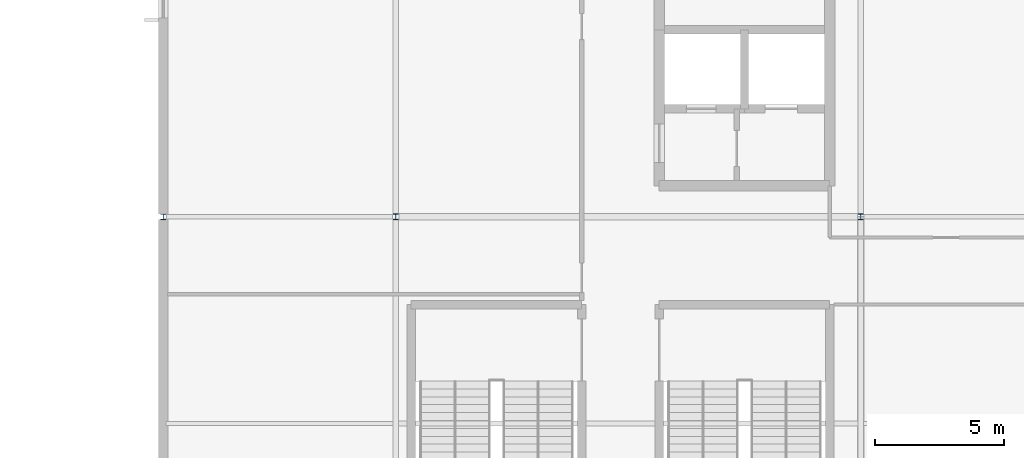
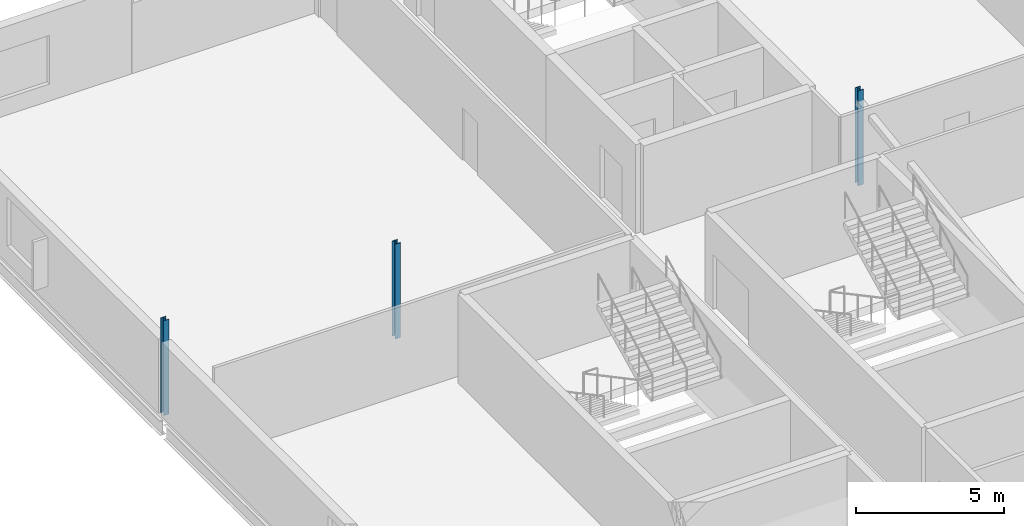
# One storey, part 14 of 35: 3 columns.
"""IFC4 building model written with IfcOpenShell, lengths in metres."""

from ifc_helpers import new_model, si_unit, direction, frame, origin, origin_2d, place, context, subcontext, project, spatial, i_section, extrude, material, material_profile, profile_set, type_object, element, save


model = new_model("IFC4")

# Units and contexts
model_context = context("Model", 3, precision=1e-05, world=origin(), true_north=direction((0.0, 1.0)))
body_context = subcontext(model_context, "Body", "Model", "MODEL_VIEW")
ifc_project = project(units=[si_unit("LENGTHUNIT", "METRE"), si_unit("AREAUNIT", "SQUARE_METRE"), si_unit("VOLUMEUNIT", "CUBIC_METRE"), si_unit("PLANEANGLEUNIT", "RADIAN"), si_unit("MASSUNIT", "GRAM", prefix="KILO")], contexts=[model_context])

# Site, building, storey
site_placement = place(None, origin())
site = spatial("IfcSite", under=ifc_project, at=site_placement, CompositionType="ELEMENT")
building_placement = place(site_placement, origin())
building = spatial("IfcBuilding", under=site, at=building_placement, Name="Kisiwana Market Hall", CompositionType="ELEMENT")
storey_placement = place(building_placement, frame((0.0, 0.0, 57.89990234375)))
storey = spatial("IfcBuildingStorey", under=building, at=storey_placement, Name="L13", CompositionType="ELEMENT", Elevation=57.89990234375)

# Columns
ifc_material_1 = material(Name="Steel S355", Category="steel")
ifc_material_profile_1 = material_profile(ifc_material_1, i_section(OverallWidth=0.205810546875, OverallDepth=0.209716796875, WebThickness=0.009521484375, FlangeThickness=0.01416015625, FilletRadius=0.01025390625, at=origin_2d()), Name="UC 203x203x60")
ifc_profile_set_1 = profile_set([ifc_material_profile_1], Name="Steel S355")
column_type_1 = type_object("IfcColumnType", Name="COL-STL-UC060", PredefinedType="COLUMN", material=ifc_profile_set_1)
column_placement = place(storey_placement, frame((162.0, 84.0, 0.0), z_axis=(0.0, 0.0, 1.0), x_axis=(1.0, 0.0, 0.0)))
element("IfcColumn", 1, at=column_placement, inside=storey, type_object=column_type_1, Name="Column L/19 (L13) C-1422", PredefinedType="COLUMN", context=body_context, shape_type="SweptSolid", body=[
    extrude(i_section(OverallWidth=0.205810546875, OverallDepth=0.209716796875, WebThickness=0.009521484375, FlangeThickness=0.01416015625, FilletRadius=0.01025390625, at=origin_2d()), origin(), (0.0, 0.0, 1.0), 3.900146484375),
])
ifc_material_2 = material(Name="Steel S355", Category="steel")
ifc_material_profile_2 = material_profile(ifc_material_2, i_section(OverallWidth=0.208984375, OverallDepth=0.22216796875, WebThickness=0.0126953125, FlangeThickness=0.0205078125, FilletRadius=0.01025390625, at=origin_2d()), Name="UC 203x203x86")
ifc_profile_set_2 = profile_set([ifc_material_profile_2], Name="Steel S355")
column_type_2 = type_object("IfcColumnType", Name="COL-STL-UC086", PredefinedType="COLUMN", material=ifc_profile_set_2)
for number, where, z_axis, x_axis, name in (
    (2, (171.0, 84.0, 0.0), (0.0, 0.0, 1.0), (1.0, 0.0, 0.0), "Column L/20 (L13) C-1427"),
    (3, (189.0, 84.0, 0.0), (0.0, 0.0, 1.0), (1.0, 0.0, 0.0), "Column L/22 (L13) C-1431"),
):
    element("IfcColumn", number, at=place(storey_placement, frame(where, z_axis=z_axis, x_axis=x_axis)), inside=storey, type_object=column_type_2, Name=name, PredefinedType="COLUMN", context=body_context, shape_type="SweptSolid", body=[
        extrude(i_section(OverallWidth=0.208984375, OverallDepth=0.22216796875, WebThickness=0.0126953125, FlangeThickness=0.0205078125, FilletRadius=0.01025390625, at=origin_2d()), origin(), (0.0, 0.0, 1.0), 3.900146484375),
    ])

save(model, "model.ifc")
